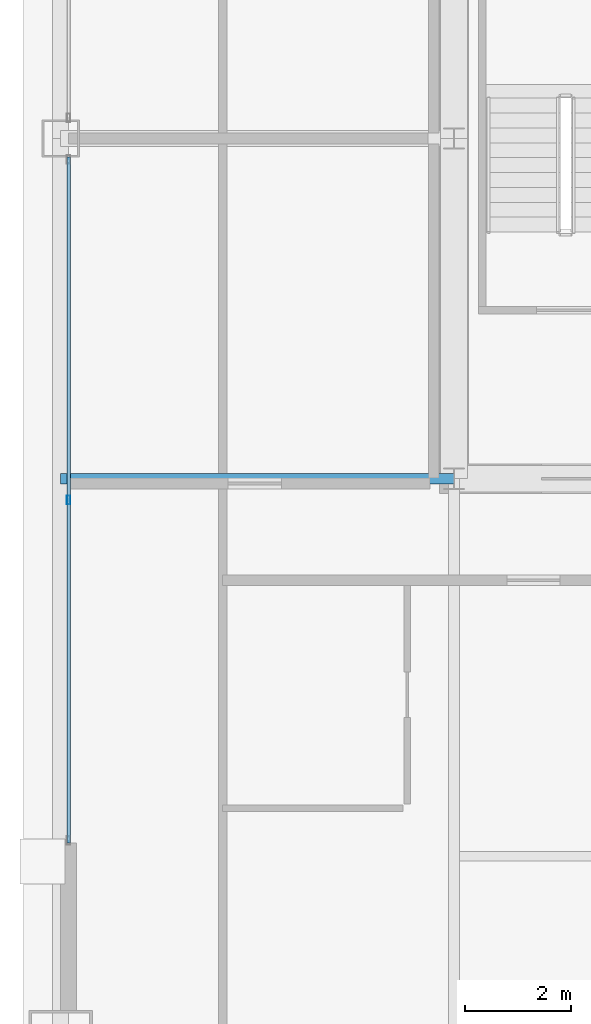
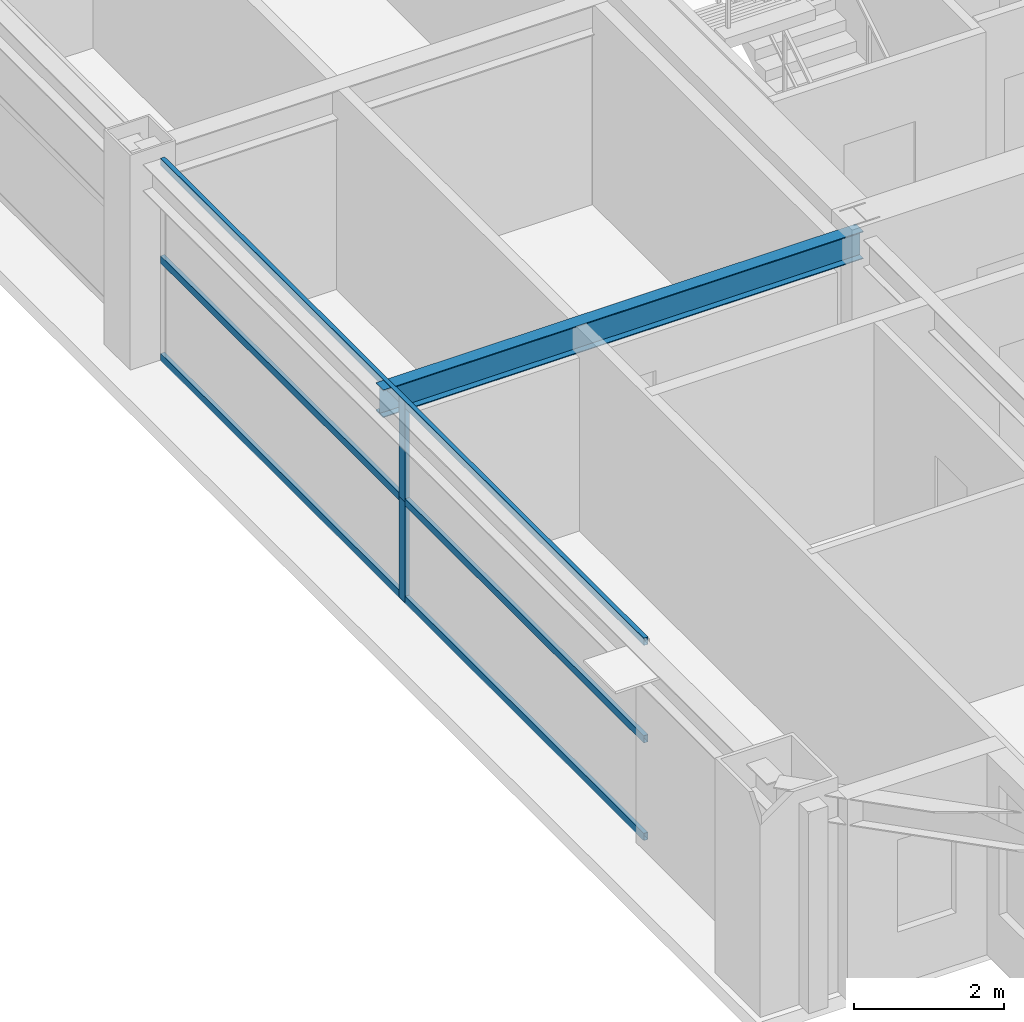
# One storey, part 7 of 36: 5 members, 1 beam, 1 element without a shape of its own.
"""IFC4 building model written with IfcOpenShell, lengths in metres."""

from ifc_helpers import new_model, si_unit, direction, frame, origin, origin_2d, place, context, subcontext, project, spatial, hollow_rectangle, i_section, extrude, source, transform, mapped, material, layer, layer_set, material_profile, profile_set, type_object, element, aggregate, save


model = new_model("IFC4")

# Units and contexts
model_context = context("Model", 3, precision=1e-05, world=origin(), true_north=direction((0.0, 1.0)))
body_context = subcontext(model_context, "Body", "Model", "MODEL_VIEW")
ifc_project = project(units=[si_unit("LENGTHUNIT", "METRE"), si_unit("AREAUNIT", "SQUARE_METRE"), si_unit("VOLUMEUNIT", "CUBIC_METRE"), si_unit("PLANEANGLEUNIT", "RADIAN"), si_unit("MASSUNIT", "GRAM", prefix="KILO"), si_unit("THERMODYNAMICTEMPERATUREUNIT", "KELVIN"), si_unit("POWERUNIT", "WATT")], contexts=[model_context])

# Site, building, storey
site_placement = place(None, origin())
site = spatial("IfcSite", under=ifc_project, at=site_placement, CompositionType="ELEMENT")
building_placement = place(site_placement, origin())
building = spatial("IfcBuilding", under=site, at=building_placement, Name="Yuzanri Waterfront Tower", CompositionType="ELEMENT")
storey_placement = place(building_placement, frame((0.0, 0.0, 238.10009765625)))
storey = spatial("IfcBuildingStorey", under=building, at=storey_placement, Name="L63", CompositionType="ELEMENT", Elevation=238.10009765625)

# Beam
ifc_material_1 = material(Name="Steel Q355B", Category="steel")
ifc_material_profile_1 = material_profile(ifc_material_1, i_section(OverallWidth=0.199951171875, OverallDepth=0.449951171875, WebThickness=0.009033203125, FlangeThickness=0.013916015625, at=origin_2d()), Name="HN 450x200x9x14")
ifc_profile_set_1 = profile_set([ifc_material_profile_1], Name="Steel Q355B")
beam_type = type_object("IfcBeamType", Name="Secondary Floor Beam Q355B HN 450x200", PredefinedType="BEAM", material=ifc_profile_set_1)
shared_shape_1 = source(origin(), body_context, "Body", "SweptSolid", [
    extrude(i_section(OverallWidth=0.199951171875, OverallDepth=0.449951171875, WebThickness=0.009033203125, FlangeThickness=0.013916015625, at=origin_2d()), origin(), (0.0, 0.0, 1.0), 7.400146484375),
])
beam_placement = place(storey_placement, frame((23.800048828125, 19.39990234375, 3.054931640625), z_axis=(-1.0, 0.0, 0.0), x_axis=(0.0, -1.0, 0.0)))
element("IfcBeam", 1, at=beam_placement, inside=storey, type_object=beam_type, Name="L63 West-South Core Line Beam", PredefinedType="BEAM", context=body_context, shape_type="MappedRepresentation", body=[
    mapped(shared_shape_1, transform((0.0, 0.0, 0.0), scale=1.0)),
])

# Curtain wall, members
ifc_material_2 = material(Name="Anodized Architectural Bronze", Category="metal")
ifc_layer = layer(ifc_material_2, 0.159912109375)
ifc_layer_set = layer_set([ifc_layer], Name="Anodized Architectural Bronze")
curtain_wall_type = type_object("IfcCurtainWallType", Name="Anodized Bronze Mid-Rise Residential Acoustic Unitized Curtain Wall 7200", PredefinedType="NOTDEFINED", material=ifc_layer_set)
curtain_wall_placement = place(storey_placement, origin())
curtain_wall = element("IfcCurtainWall", 2, at=curtain_wall_placement, inside=storey, type_object=curtain_wall_type, Name="L63 Curtain Wall CW-L63-WL", PredefinedType="NOTDEFINED")
ifc_material_3 = material(Name="Anodized Architectural Bronze", Category="metal")
ifc_material_profile_2 = material_profile(ifc_material_3, hollow_rectangle(XDim=0.06494140625, YDim=0.159912109375, WallThickness=0.00341796875, at=origin_2d()), Name="CWM 65x160")
ifc_profile_set_2 = profile_set([ifc_material_profile_2], Name="Anodized Architectural Bronze")
member_type_1 = type_object("IfcMemberType", Name="Anodized Bronze Upper-Zone Curtain-Wall Mullion 65x160", PredefinedType="MULLION", material=ifc_profile_set_2)
shared_shape_2 = source(origin(), body_context, "Body", "SweptSolid", [
    extrude(hollow_rectangle(XDim=0.06494140625, YDim=0.159912109375, WallThickness=0.00341796875, at=origin_2d()), origin(), (0.0, 0.0, 1.0), 1.637939453125),
])
member_1_placement = place(storey_placement, frame((16.550048828125, 19.0, 0.0), z_axis=(0.0, 0.0, 1.0), x_axis=(1.0, 0.0, 0.0)))
member_1 = element("IfcMember", 3, at=member_1_placement, type_object=member_type_1, Name="CW-L63-WL Lower Mullion 01", PredefinedType="MULLION", context=body_context, shape_type="MappedRepresentation", body=[
    mapped(shared_shape_2, transform((0.0, 0.0, 0.0), scale=1.0)),
])
member_2_placement = place(storey_placement, frame((16.550048828125, 19.0, 1.641845703125), z_axis=(0.0, 0.0, 1.0), x_axis=(1.0, 0.0, 0.0)))
member_2 = element("IfcMember", 4, at=member_2_placement, type_object=member_type_1, Name="CW-L63-WL Upper Mullion 01", PredefinedType="MULLION", context=body_context, shape_type="MappedRepresentation", body=[
    mapped(shared_shape_2, transform((0.0, 0.0, 0.0), scale=1.0)),
])
ifc_material_4 = material(Name="Anodized Architectural Bronze", Category="metal")
ifc_material_profile_3 = material_profile(ifc_material_4, hollow_rectangle(XDim=0.06494140625, YDim=0.1201171875, WallThickness=0.00341796875, at=origin_2d()), Name="CWT 65x120")
ifc_profile_set_3 = profile_set([ifc_material_profile_3], Name="Anodized Architectural Bronze")
member_type_2 = type_object("IfcMemberType", Name="Anodized Bronze Secondary Curtain-Wall Transom 65x120", PredefinedType="USERDEFINED", material=ifc_profile_set_3)
shared_shape_3 = source(origin(), body_context, "Body", "SweptSolid", [
    extrude(hollow_rectangle(XDim=0.06494140625, YDim=0.1201171875, WallThickness=0.00341796875, at=origin_2d()), origin(), (0.0, 0.0, 1.0), 12.89990234375),
])
member_3_placement = place(storey_placement, frame((16.550048828125, 12.550048828125, 0.0498046875), z_axis=(0.0, 1.0, 0.0), x_axis=(-1.0, 0.0, 0.0)))
member_3 = element("IfcMember", 5, at=member_3_placement, type_object=member_type_2, Name="CW-L63-WL Transom 1", ObjectType="TRANSOM", PredefinedType="USERDEFINED", context=body_context, shape_type="MappedRepresentation", body=[
    mapped(shared_shape_3, transform((0.0, 0.0, 0.0), scale=1.0)),
])
member_4_placement = place(storey_placement, frame((16.550048828125, 12.550048828125, 1.639892578125), z_axis=(0.0, 1.0, 0.0), x_axis=(-1.0, 0.0, 0.0)))
member_4 = element("IfcMember", 6, at=member_4_placement, type_object=member_type_2, Name="CW-L63-WL Transom 2", ObjectType="TRANSOM", PredefinedType="USERDEFINED", context=body_context, shape_type="MappedRepresentation", body=[
    mapped(shared_shape_3, transform((0.0, 0.0, 0.0), scale=1.0)),
])
member_5_placement = place(storey_placement, frame((16.550048828125, 12.550048828125, 3.22998046875), z_axis=(0.0, 1.0, 0.0), x_axis=(-1.0, 0.0, 0.0)))
member_5 = element("IfcMember", 7, at=member_5_placement, type_object=member_type_2, Name="CW-L63-WL Transom 3", ObjectType="TRANSOM", PredefinedType="USERDEFINED", context=body_context, shape_type="MappedRepresentation", body=[
    mapped(shared_shape_3, transform((0.0, 0.0, 0.0), scale=1.0)),
])
aggregate(curtain_wall, [member_1, member_2, member_3, member_4, member_5])

save(model, "model.ifc")
